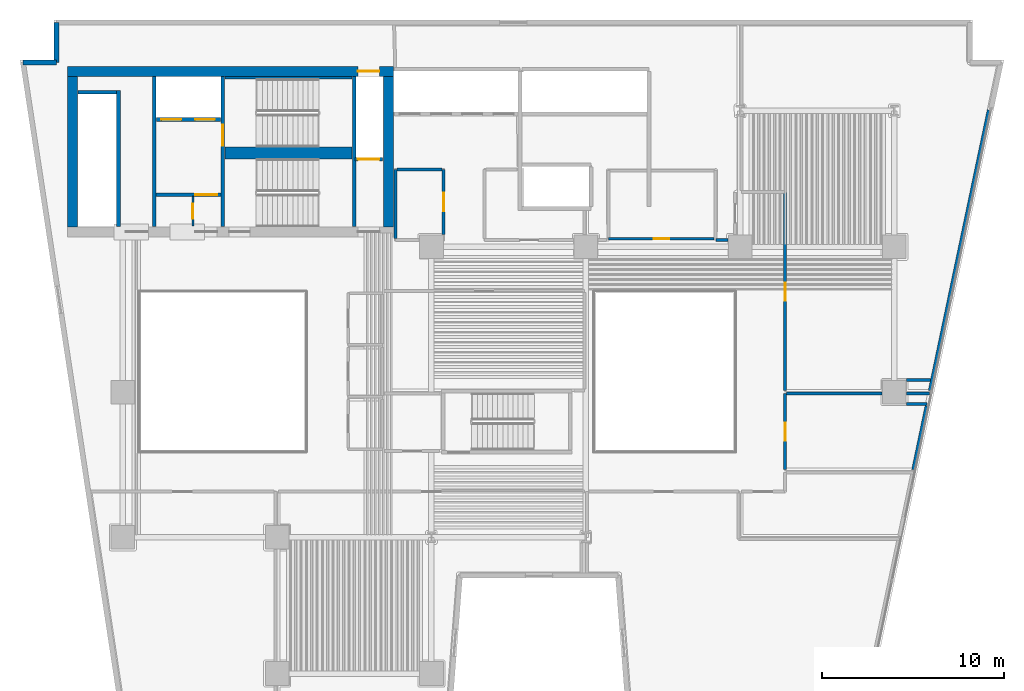
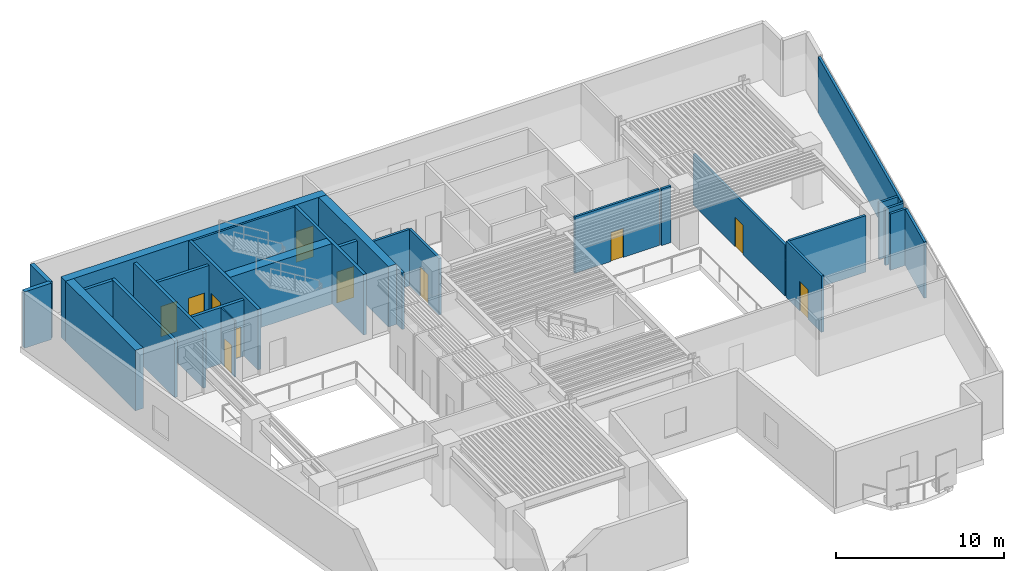
# One storey, part 5 of 12: 29 walls, 11 doors, 11 openings.
"""IFC4 building model written with IfcOpenShell, lengths in metres."""

import ifcopenshell
import ifcopenshell.guid

model = None  # the IFC model being written
_history = None  # IfcOwnerHistory: only IFC2X3 demands one
_inside = {}  # id of a spatial element -> (the spatial element, [elements in it])
_under = {}  # id of a project, library or spatial element -> (it, [spatial elements below it])
_declared = {}  # id of a project -> (the project, [libraries it declares])
_typed = {}  # id of a type object -> (the type object, [elements of that type])
_made_of = {}  # id of a material, layer set ... -> (it, [elements and type objects made of it])


def new_model(schema):
    """Start an empty IFC model of exactly this schema.

    Asked for "IFC4X3", IfcOpenShell would pick the latest addendum, in which some entities
    have other attributes; the version numbers below select the first issue.
    IFC2X3 requires an IfcOwnerHistory on every rooted entity: one is made here for all.
    """
    global model, _history
    if schema == "IFC4X3":
        model = ifcopenshell.file(schema_version=(4, 3, 0, 0))
    else:
        model = ifcopenshell.file(schema=schema)
    _inside.clear()
    _under.clear()
    _declared.clear()
    _typed.clear()
    _made_of.clear()
    _history = None
    if model.schema == "IFC2X3":
        org = make("IfcOrganization", Name="unknown")
        user = make(
            "IfcPersonAndOrganization",
            ThePerson=make("IfcPerson", FamilyName="unknown"),
            TheOrganization=org,
        )
        app = make(
            "IfcApplication",
            ApplicationDeveloper=org,
            Version="unknown",
            ApplicationFullName="unknown",
            ApplicationIdentifier="unknown",
        )
        _history = make(
            "IfcOwnerHistory",
            OwningUser=user,
            OwningApplication=app,
            ChangeAction="ADDED",
            CreationDate=0,
        )
    return model


def make(cls, **values):
    """One entity of the class cls with the attributes given. An attribute that is None is left unset."""
    return model.create_entity(
        cls, **{name: value for name, value in values.items() if value is not None}
    )


def rooted(cls, **values):
    """An entity with a GlobalId (a new one), such as an element, a storey or a relation."""
    return make(cls, GlobalId=ifcopenshell.guid.new(), OwnerHistory=_history, **values)


def si_unit(unit_type, name, prefix=None):
    """IfcSIUnit, for example si_unit("LENGTHUNIT", "METRE", prefix="MILLI")."""
    return make("IfcSIUnit", UnitType=unit_type, Prefix=prefix, Name=name)


def assignment(units):
    """IfcUnitAssignment: the units of a project."""
    return None if units is None else make("IfcUnitAssignment", Units=units)


def point(xyz):
    """IfcCartesianPoint."""
    return None if xyz is None else make("IfcCartesianPoint", Coordinates=xyz)


def direction(xyz):
    """IfcDirection."""
    return None if xyz is None else make("IfcDirection", DirectionRatios=xyz)


def frame(location, z_axis=None, x_axis=None):
    """IfcAxis2Placement3D, a coordinate frame: its origin and axes. An axis left out is left unset."""
    return make(
        "IfcAxis2Placement3D",
        Location=point(location),
        Axis=direction(z_axis),
        RefDirection=direction(x_axis),
    )


def frame_2d(location, x_axis=None):
    """IfcAxis2Placement2D, a coordinate frame in the plane: its origin and x axis."""
    return make(
        "IfcAxis2Placement2D", Location=point(location), RefDirection=direction(x_axis)
    )


def origin():
    """The frame at (0, 0, 0) with its axes left unset."""
    return frame((0.0, 0.0, 0.0))


def place(relative_to, where):
    """IfcLocalPlacement: puts the frame where relative to a parent placement (None: the world)."""
    return make(
        "IfcLocalPlacement", PlacementRelTo=relative_to, RelativePlacement=where
    )


def context(
    kind, dimensions, precision=None, world=None, true_north=None, identifier=None
):
    """IfcGeometricRepresentationContext, for example the 3D "Model" context."""
    return make(
        "IfcGeometricRepresentationContext",
        ContextIdentifier=identifier,
        ContextType=kind,
        CoordinateSpaceDimension=dimensions,
        Precision=precision,
        WorldCoordinateSystem=world,
        TrueNorth=true_north,
    )


def subcontext(parent, identifier, kind, view, scale=None):
    """IfcGeometricRepresentationSubContext, for example "Body" below "Model"."""
    return make(
        "IfcGeometricRepresentationSubContext",
        ContextIdentifier=identifier,
        ContextType=kind,
        ParentContext=parent,
        TargetScale=scale,
        TargetView=view,
    )


def project(units=None, contexts=None):
    """IfcProject with its units and contexts."""
    return rooted(
        "IfcProject",
        Name="project",
        RepresentationContexts=contexts,
        UnitsInContext=assignment(units),
    )


def spatial(cls, under=None, at=None, **own):
    """A site, building, storey or space (cls), placed at a placement, below another one or the project."""
    s = rooted(cls, ObjectPlacement=at, **own)
    if under is not None:
        _under.setdefault(under.id(), (under, []))[1].append(s)
    return s


def profile(cls, at=None, kind="AREA", **sizes):
    """A parametric profile (cls). Its sizes go by their IFC names, for example OverallWidth=200.0."""
    return make(cls, ProfileType=kind, Position=at, **sizes)


def rectangle(**sizes):
    """IfcRectangleProfileDef."""
    return profile("IfcRectangleProfileDef", **sizes)


def extrude(swept, where, along, depth):
    """IfcExtrudedAreaSolid: the profile swept, set in the frame where, extruded along a direction by depth."""
    return make(
        "IfcExtrudedAreaSolid",
        SweptArea=swept,
        Position=where,
        ExtrudedDirection=direction(along),
        Depth=depth,
    )


def shape(context_of_items, identifier, shape_type, items):
    """IfcShapeRepresentation: the items that make up one representation, for example the "Body"."""
    return make(
        "IfcShapeRepresentation",
        ContextOfItems=context_of_items,
        RepresentationIdentifier=identifier,
        RepresentationType=shape_type,
        Items=items,
    )


def material(Name=None, Category=None):
    """IfcMaterial."""
    return make("IfcMaterial", Name=Name, Category=Category)


def layer(
    of_material, thickness, ventilated=None, Name=None, Category=None, Priority=None
):
    """IfcMaterialLayer: one layer of a wall or slab, of a material (None: an air gap)."""
    return make(
        "IfcMaterialLayer",
        Material=of_material,
        LayerThickness=thickness,
        IsVentilated=ventilated,
        Name=Name,
        Category=Category,
        Priority=Priority,
    )


def layer_set(layers, Name=None):
    """IfcMaterialLayerSet."""
    return make("IfcMaterialLayerSet", MaterialLayers=layers, LayerSetName=Name)


def made_of(thing, what):
    """Note that an element or type object is made of a material, layer set ...; save() writes the relation."""
    if what is not None:
        _made_of.setdefault(what.id(), (what, []))[1].append(thing)
    return thing


def type_object(cls, material=None, **own):
    """A type object (cls), such as IfcWallType, which elements share."""
    return made_of(rooted(cls, **own), material)


def element(
    cls,
    number,
    at=None,
    inside=None,
    cuts=None,
    type_object=None,
    material=None,
    context=None,
    identifier="Body",
    shape_type=None,
    held_by="IfcProductDefinitionShape",
    body=None,
    shapes=None,
    **own,
):
    """One element of the class cls, such as IfcWall. Its Tag is "e" and its number.

    at: its placement. inside: the storey or other place that contains it. cuts: it is an
    opening in that element (IfcRelVoidsElement). A single representation is given by context,
    identifier, shape_type and body (its items); several are given by shapes. held_by: the class
    of the entity that holds the representations. save() writes the other relations.
    """
    e = rooted(cls, Tag="e%d" % number, ObjectPlacement=at, **own)
    if body is not None:
        shapes = [shape(context, identifier, shape_type, body)]
    if shapes is not None:
        e.Representation = make(held_by, Representations=shapes)
    if inside is not None:
        _inside.setdefault(inside.id(), (inside, []))[1].append(e)
    if cuts is not None:
        rooted(
            "IfcRelVoidsElement", RelatingBuildingElement=cuts, RelatedOpeningElement=e
        )
    if type_object is not None:
        _typed.setdefault(type_object.id(), (type_object, []))[1].append(e)
    return made_of(e, material)


def fill(opening, filler):
    """IfcRelFillsElement: the door or window that sits in an opening."""
    return rooted(
        "IfcRelFillsElement",
        RelatingOpeningElement=opening,
        RelatedBuildingElement=filler,
    )


def aggregate(whole, parts):
    """IfcRelAggregates: a whole, such as a stair, and the parts it consists of."""
    return rooted("IfcRelAggregates", RelatingObject=whole, RelatedObjects=parts)


def save(model, path):
    """Write the relations noted so far, then the file.

    IfcRelAggregates (storeys below a building ...), IfcRelContainedInSpatialStructure (elements
    in a storey), IfcRelDefinesByType, IfcRelAssociatesMaterial and IfcRelDeclares: one each for
    every whole, place, type object, material and project.
    """
    for whole, parts in _under.values():
        aggregate(whole, parts)
    for where, things in _inside.values():
        rooted(
            "IfcRelContainedInSpatialStructure",
            RelatedElements=things,
            RelatingStructure=where,
        )
    for kind, things in _typed.values():
        rooted("IfcRelDefinesByType", RelatedObjects=things, RelatingType=kind)
    for what, things in _made_of.values():
        rooted("IfcRelAssociatesMaterial", RelatedObjects=things, RelatingMaterial=what)
    for by, libraries in _declared.values():
        rooted("IfcRelDeclares", RelatingContext=by, RelatedDefinitions=libraries)
    model.write(path)


model = new_model("IFC4")

# Units and contexts
model_context = context("Model", 3, precision=1e-05, world=origin(), true_north=direction((0.0, 1.0)))
body_context = subcontext(model_context, "Body", "Model", "MODEL_VIEW")
ifc_project = project(units=[si_unit("LENGTHUNIT", "METRE"), si_unit("AREAUNIT", "SQUARE_METRE"), si_unit("VOLUMEUNIT", "CUBIC_METRE"), si_unit("PLANEANGLEUNIT", "RADIAN"), si_unit("MASSUNIT", "GRAM", prefix="KILO")], contexts=[model_context])

# Site, building, storey
site_placement = place(None, origin())
site = spatial("IfcSite", under=ifc_project, at=site_placement, CompositionType="ELEMENT")
building_placement = place(site_placement, origin())
building = spatial("IfcBuilding", under=site, at=building_placement, Name="Caeloran Harvest Quay", CompositionType="ELEMENT")
storey_placement = place(building_placement, frame((0.0, 0.0, 27.0)))
storey = spatial("IfcBuildingStorey", under=building, at=storey_placement, Name="L06", CompositionType="ELEMENT", Elevation=27.0)

# Walls
ifc_material_1 = material(Name="Precast concrete C50/60", Category="concrete")
ifc_layer_1 = layer(ifc_material_1, 0.280029296875, Name="Precast concrete C50/60")
ifc_layer_set_1 = layer_set([ifc_layer_1], Name="Precast concrete C50/60")
wall_type_1 = type_object("IfcWallType", Name="ENV-WALL-EW-280", PredefinedType="STANDARD", material=ifc_layer_set_1)
wall_1_placement = place(storey_placement, frame((2.99755859375, 41.159912109375, 0.0), z_axis=(0.0, 0.0, 1.0), x_axis=(1.0, 0.0, 0.0)))
element("IfcWall", 1, at=wall_1_placement, inside=storey, type_object=wall_type_1, Name="L06 Exterior Precast Concrete Facade Wall 4", PredefinedType="STANDARD", context=body_context, shape_type="SweptSolid", body=[
    extrude(rectangle(XDim=1.842529296875, YDim=0.280029296875, at=frame_2d((0.92138671875, 0.0))), origin(), (0.0, 0.0, 1.0), 4.10009765625),
])
wall_2_placement = place(storey_placement, frame((4.840087890625, 41.159912109375, 0.0), z_axis=(0.0, 0.0, 1.0), x_axis=(0.0, 1.0, 0.0)))
element("IfcWall", 2, at=wall_2_placement, inside=storey, type_object=wall_type_1, Name="L06 Exterior Precast Concrete Facade Wall 5", PredefinedType="STANDARD", context=body_context, shape_type="SweptSolid", body=[
    extrude(rectangle(XDim=2.2001953125, YDim=0.280029296875, at=frame_2d((1.10009765625, 0.0))), origin(), (0.0, 0.0, 1.0), 4.10009765625),
])

# Wall, opening, door
ifc_material_2 = material(Name="Fire-Resisting Gypsum Core Riser Partition", Category="gypsum")
ifc_layer_2 = layer(ifc_material_2, 0.10009765625, Name="Fire-Resisting Gypsum Core Riser Partition")
ifc_layer_set_2 = layer_set([ifc_layer_2], Name="Fire-Resisting Gypsum Core Riser Partition")
wall_type_2 = type_object("IfcWallType", Name="INT-WALL-PW-100", PredefinedType="PARTITIONING", material=ifc_layer_set_2)
wall_3_placement = place(storey_placement, frame((12.360107421875, 32.159912109375, 0.0), z_axis=(0.0, 0.0, 1.0), x_axis=(0.0, 1.0, 0.0)))
wall_3 = element("IfcWall", 3, at=wall_3_placement, inside=storey, type_object=wall_type_2, Name="L06 Core Store Partition Wall", PredefinedType="PARTITIONING", context=body_context, shape_type="SweptSolid", body=[
    extrude(rectangle(XDim=1.6201171875, YDim=0.10009765625, at=frame_2d((0.81005859375, 0.0))), origin(), (0.0, 0.0, 1.0), 4.10009765625),
])
opening_1_placement = place(wall_3_placement, frame((0.3798828125, 0.0, 0.0)))
opening_1 = element("IfcOpeningElement", 4, at=opening_1_placement, cuts=wall_3, Name="Opening SV-01", PredefinedType="OPENING", context=body_context, shape_type="SweptSolid", body=[
    extrude(rectangle(XDim=0.85009765625, YDim=2.10009765625, at=frame_2d((0.425048828125, 1.050048828125))), frame((0.0, 0.06005859375, 0.0), z_axis=(0.0, -1.0, 0.0), x_axis=(1.0, 0.0, 0.0)), (0.0, 0.0, 1.0), 0.1201171875),
])
ifc_material_3 = material(Name="Galvanized Painted Steel", Category="steel")
door_type_1 = type_object("IfcDoorType", Name="INTDOOR-SV-01", OperationType="NOTDEFINED", PredefinedType="DOOR", material=ifc_material_3)
door_1_placement = place(opening_1_placement, origin())
door_1 = element("IfcDoor", 5, at=door_1_placement, inside=storey, type_object=door_type_1, Name="L06 Core Service Room Access Door", OperationType="SINGLE_SWING_RIGHT", OverallHeight=2.10009765625, OverallWidth=0.85009765625, PredefinedType="DOOR", context=body_context, shape_type="SweptSolid", body=[
    extrude(rectangle(XDim=0.85009765625, YDim=2.10009765625, at=frame_2d((0.425048828125, 1.050048828125))), frame((0.0, 0.02490234375, 0.0), z_axis=(0.0, -1.0, 0.0), x_axis=(1.0, 0.0, 0.0)), (0.0, 0.0, 1.0), 0.050048828125),
])
fill(opening_1, door_1)

ifc_material_4 = material(Name="Autoclaved Aerated Concrete Blockwork and Plasterboard", Category="masonry")
ifc_layer_3 = layer(ifc_material_4, 0.14990234375, Name="Autoclaved Aerated Concrete Blockwork and Plasterboard")
ifc_layer_set_3 = layer_set([ifc_layer_3], Name="Autoclaved Aerated Concrete Blockwork and Plasterboard")
wall_type_3 = type_object("IfcWallType", Name="INT-WALL-PW-150", PredefinedType="PARTITIONING", material=ifc_layer_set_3)
wall_4_placement = place(storey_placement, frame((41.070068359375, 31.449951171875, 0.0), z_axis=(0.0, 0.0, 1.0), x_axis=(-1.0, 0.0, 0.0)))
wall_4 = element("IfcWall", 6, at=wall_4_placement, inside=storey, type_object=wall_type_3, Name="L06 Core Telemetry Control Room Partition Wall", PredefinedType="PARTITIONING", context=body_context, shape_type="SweptSolid", body=[
    extrude(rectangle(XDim=5.820068359375, YDim=0.14990234375, at=frame_2d((2.91015625, 0.0))), origin(), (0.0, 0.0, 1.0), 4.10009765625),
])
opening_2_placement = place(wall_4_placement, frame((2.485107421875, 0.0, 0.0)))
opening_2 = element("IfcOpeningElement", 7, at=opening_2_placement, cuts=wall_4, Name="Opening SV-01", PredefinedType="OPENING", context=body_context, shape_type="SweptSolid", body=[
    extrude(rectangle(XDim=0.85009765625, YDim=2.10009765625, at=frame_2d((0.425048828125, 1.050048828125))), frame((0.0, 0.0849609375, 0.0), z_axis=(0.0, -1.0, 0.0), x_axis=(1.0, 0.0, 0.0)), (0.0, 0.0, 1.0), 0.169921875),
])
door_2_placement = place(opening_2_placement, origin())
door_2 = element("IfcDoor", 8, at=door_2_placement, inside=storey, type_object=door_type_1, Name="L06 Core Telemetry Control Room Access Door", OperationType="SINGLE_SWING_LEFT", OverallHeight=2.10009765625, OverallWidth=0.85009765625, PredefinedType="DOOR", context=body_context, shape_type="SweptSolid", body=[
    extrude(rectangle(XDim=0.85009765625, YDim=2.10009765625, at=frame_2d((0.425048828125, 1.050048828125))), frame((0.0, 0.02490234375, 0.0), z_axis=(0.0, -1.0, 0.0), x_axis=(1.0, 0.0, 0.0)), (0.0, 0.0, 1.0), 0.050048828125),
])
fill(opening_2, door_2)

ifc_material_5 = material(Name="Autoclaved Aerated Concrete Blockwork", Category="masonry")
ifc_layer_4 = layer(ifc_material_5, 0.1650390625, Name="Autoclaved Aerated Concrete Blockwork")
ifc_layer_set_4 = layer_set([ifc_layer_4], Name="Autoclaved Aerated Concrete Blockwork")
wall_type_4 = type_object("IfcWallType", Name="INT-WALL-PW-165", PredefinedType="PARTITIONING", material=ifc_layer_set_4)
wall_5_placement = place(storey_placement, frame((44.97998046875, 18.72998046875, 0.0), z_axis=(0.0, 0.0, 1.0), x_axis=(0.0, 1.0, 0.0)))
wall_5 = element("IfcWall", 9, at=wall_5_placement, inside=storey, type_object=wall_type_4, Name="Harvest Cold Buffer Laboratory Partition Wall", PredefinedType="PARTITIONING", context=body_context, shape_type="SweptSolid", body=[
    extrude(rectangle(XDim=4.18994140625, YDim=0.1650390625, at=frame_2d((2.094970703125, 0.0))), origin(), (0.0, 0.0, 1.0), 4.10009765625),
])
opening_3_placement = place(wall_5_placement, frame((1.594970703125, 0.0, 0.0)))
opening_3 = element("IfcOpeningElement", 10, at=opening_3_placement, cuts=wall_5, Name="Opening ID-01", PredefinedType="OPENING", context=body_context, shape_type="SweptSolid", body=[
    extrude(rectangle(XDim=1.0, YDim=2.14990234375, at=frame_2d((0.5, 1.074951171875))), frame((0.0, 0.092529296875, 0.0), z_axis=(0.0, -1.0, 0.0), x_axis=(1.0, 0.0, 0.0)), (0.0, 0.0, 1.0), 0.18505859375),
])
ifc_material_6 = material(Name="FSC Solid-Core Ash Timber and Acoustic Seal", Category="wood")
door_type_2 = type_object("IfcDoorType", Name="INTDOOR-ID-01", OperationType="NOTDEFINED", PredefinedType="DOOR", material=ifc_material_6)
door_3_placement = place(opening_3_placement, origin())
door_3 = element("IfcDoor", 11, at=door_3_placement, inside=storey, type_object=door_type_2, Name="Harvest Cold Buffer Laboratory Access Door", OperationType="SINGLE_SWING_LEFT", OverallHeight=2.14990234375, OverallWidth=1.0, PredefinedType="DOOR", context=body_context, shape_type="SweptSolid", body=[
    extrude(rectangle(XDim=1.0, YDim=2.14990234375, at=frame_2d((0.5, 1.074951171875))), frame((0.0, 0.02490234375, 0.0), z_axis=(0.0, -1.0, 0.0), x_axis=(1.0, 0.0, 0.0)), (0.0, 0.0, 1.0), 0.050048828125),
])
fill(opening_3, door_3)

# Walls
wall_6_placement = place(storey_placement, frame((45.0673828125, 22.919921875, 0.0), z_axis=(0.0, 0.0, 1.0), x_axis=(1.0, 0.0, 0.0)))
element("IfcWall", 12, at=wall_6_placement, inside=storey, type_object=wall_type_4, Name="Harvest Cold Buffer Laboratory Partition Wall", PredefinedType="PARTITIONING", context=body_context, shape_type="SweptSolid", body=[
    extrude(rectangle(XDim=5.257568359375, YDim=0.1650390625, at=frame_2d((2.62890625, 0.0))), origin(), (0.0, 0.0, 1.0), 4.10009765625),
])
wall_7_placement = place(storey_placement, frame((51.675048828125, 22.3349609375, 0.0), z_axis=(0.0, 0.0, 1.0), x_axis=(1.0, 0.0, 0.0)))
element("IfcWall", 13, at=wall_7_placement, inside=storey, type_object=wall_type_4, Name="Harvest Cold Buffer Laboratory Partition Wall", PredefinedType="PARTITIONING", context=body_context, shape_type="SweptSolid", body=[
    extrude(rectangle(XDim=1.12841796875, YDim=0.1650390625, at=frame_2d((0.564208984375, 0.0))), origin(), (0.0, 0.0, 1.0), 4.10009765625),
])
wall_8_placement = place(storey_placement, frame((51.675048828125, 22.919921875, 0.0), z_axis=(0.0, 0.0, 1.0), x_axis=(1.0, 0.0, 0.0)))
element("IfcWall", 14, at=wall_8_placement, inside=storey, type_object=wall_type_4, Name="Harvest Cold Buffer Laboratory Partition Wall", PredefinedType="PARTITIONING", context=body_context, shape_type="SweptSolid", body=[
    extrude(rectangle(XDim=1.25146484375, YDim=0.1650390625, at=frame_2d((0.625732421875, 0.0))), origin(), (0.0, 0.0, 1.0), 4.10009765625),
])
wall_9_placement = place(storey_placement, frame((52.769775390625, 22.24755859375, 0.0), z_axis=(0.0, 0.0, 1.0), x_axis=(-0.205538051866, -0.978649124679, 0.0)))
element("IfcWall", 15, at=wall_9_placement, inside=storey, type_object=wall_type_4, Name="Harvest Cold Buffer Laboratory Partition Wall", PredefinedType="PARTITIONING", context=body_context, shape_type="SweptSolid", body=[
    extrude(rectangle(XDim=3.59423828125, YDim=0.1650390625, at=frame_2d((1.797119140625, 0.0))), origin(), (0.0, 0.0, 1.0), 4.10009765625),
])

# Wall, opening, door
wall_10_placement = place(storey_placement, frame((26.169921875, 35.27001953125, 0.0), z_axis=(0.0, 0.0, 1.0), x_axis=(0.0, -1.0, 0.0)))
wall_10 = element("IfcWall", 16, at=wall_10_placement, inside=storey, type_object=wall_type_4, Name="Leafy-Greens Hydroponic Growing Hall 9 Partition Wall", PredefinedType="PARTITIONING", context=body_context, shape_type="SweptSolid", body=[
    extrude(rectangle(XDim=3.594970703125, YDim=0.1650390625, at=frame_2d((1.79736328125, 0.0))), origin(), (0.0, 0.0, 1.0), 4.10009765625),
])
opening_4_placement = place(wall_10_placement, frame((1.297607421875, 0.0, 0.0)))
opening_4 = element("IfcOpeningElement", 17, at=opening_4_placement, cuts=wall_10, Name="Opening ID-01", PredefinedType="OPENING", context=body_context, shape_type="SweptSolid", body=[
    extrude(rectangle(XDim=1.0, YDim=2.14990234375, at=frame_2d((0.5, 1.074951171875))), frame((0.0, 0.092529296875, 0.0), z_axis=(0.0, -1.0, 0.0), x_axis=(1.0, 0.0, 0.0)), (0.0, 0.0, 1.0), 0.18505859375),
])
door_4_placement = place(opening_4_placement, origin())
door_4 = element("IfcDoor", 18, at=door_4_placement, inside=storey, type_object=door_type_2, Name="Leafy-Greens Hydroponic Growing Hall 9 Access Door", OperationType="SINGLE_SWING_RIGHT", OverallHeight=2.14990234375, OverallWidth=1.0, PredefinedType="DOOR", context=body_context, shape_type="SweptSolid", body=[
    extrude(rectangle(XDim=1.0, YDim=2.14990234375, at=frame_2d((0.5, 1.074951171875))), frame((0.0, 0.02490234375, 0.0), z_axis=(0.0, -1.0, 0.0), x_axis=(1.0, 0.0, 0.0)), (0.0, 0.0, 1.0), 0.050048828125),
])
fill(opening_4, door_4)

# Walls
wall_11_placement = place(storey_placement, frame((23.510009765625, 31.467529296875, 0.0), z_axis=(0.0, 0.0, 1.0), x_axis=(0.0, 1.0, 0.0)))
element("IfcWall", 19, at=wall_11_placement, inside=storey, type_object=wall_type_4, Name="Leafy-Greens Hydroponic Growing Hall 9 Partition Wall", PredefinedType="PARTITIONING", context=body_context, shape_type="SweptSolid", body=[
    extrude(rectangle(XDim=3.804443359375, YDim=0.1650390625, at=frame_2d((1.90234375, 0.0))), origin(), (0.0, 0.0, 1.0), 4.10009765625),
])
wall_12_placement = place(storey_placement, frame((23.597412109375, 35.27001953125, 0.0), z_axis=(0.0, 0.0, 1.0), x_axis=(1.0, 0.0, 0.0)))
element("IfcWall", 20, at=wall_12_placement, inside=storey, type_object=wall_type_4, Name="Leafy-Greens Hydroponic Growing Hall 9 Partition Wall", PredefinedType="PARTITIONING", context=body_context, shape_type="SweptSolid", body=[
    extrude(rectangle(XDim=2.485107421875, YDim=0.1650390625, at=frame_2d((1.24267578125, 0.0))), origin(), (0.0, 0.0, 1.0), 4.10009765625),
])
wall_13_placement = place(storey_placement, frame((56.1943359375, 38.547607421875, 0.0), z_axis=(0.0, 0.0, 1.0), x_axis=(-0.205583069276, -0.978639668942, 0.0)))
element("IfcWall", 21, at=wall_13_placement, inside=storey, type_object=wall_type_4, Name="Aeroponic Root-Mist Growing Chamber 10 Partition Wall", PredefinedType="PARTITIONING", context=body_context, shape_type="SweptSolid", body=[
    extrude(rectangle(XDim=15.80517578125, YDim=0.1650390625, at=frame_2d((7.902587890625, 0.0))), origin(), (0.0, 0.0, 1.0), 4.10009765625),
])
wall_14_placement = place(storey_placement, frame((52.978515625, 23.6650390625, 0.0), z_axis=(0.0, 0.0, 1.0), x_axis=(-1.0, 0.0, 0.0)))
element("IfcWall", 22, at=wall_14_placement, inside=storey, type_object=wall_type_4, Name="Aeroponic Root-Mist Growing Chamber 10 Partition Wall", PredefinedType="PARTITIONING", context=body_context, shape_type="SweptSolid", body=[
    extrude(rectangle(XDim=1.303466796875, YDim=0.1650390625, at=frame_2d((0.65185546875, 0.0))), origin(), (0.0, 0.0, 1.0), 4.10009765625),
])

# Wall, opening, door
wall_15_placement = place(storey_placement, frame((44.97998046875, 23.080078125, 0.0), z_axis=(0.0, 0.0, 1.0), x_axis=(0.0, 1.0, 0.0)))
wall_15 = element("IfcWall", 23, at=wall_15_placement, inside=storey, type_object=wall_type_4, Name="Aeroponic Root-Mist Growing Chamber 10 Partition Wall", PredefinedType="PARTITIONING", context=body_context, shape_type="SweptSolid", body=[
    extrude(rectangle(XDim=10.919921875, YDim=0.1650390625, at=frame_2d((5.4599609375, 0.0))), origin(), (0.0, 0.0, 1.0), 3.72509765625),
])
opening_5_placement = place(wall_15_placement, frame((4.9599609375, 0.0, 0.0)))
opening_5 = element("IfcOpeningElement", 24, at=opening_5_placement, cuts=wall_15, Name="Opening ID-01", PredefinedType="OPENING", context=body_context, shape_type="SweptSolid", body=[
    extrude(rectangle(XDim=1.0, YDim=2.14990234375, at=frame_2d((0.5, 1.074951171875))), frame((0.0, 0.092529296875, 0.0), z_axis=(0.0, -1.0, 0.0), x_axis=(1.0, 0.0, 0.0)), (0.0, 0.0, 1.0), 0.18505859375),
])
door_5_placement = place(opening_5_placement, origin())
door_5 = element("IfcDoor", 25, at=door_5_placement, inside=storey, type_object=door_type_2, Name="Aeroponic Root-Mist Growing Chamber 10 Access Door", OperationType="SINGLE_SWING_LEFT", OverallHeight=2.14990234375, OverallWidth=1.0, PredefinedType="DOOR", context=body_context, shape_type="SweptSolid", body=[
    extrude(rectangle(XDim=1.0, YDim=2.14990234375, at=frame_2d((0.5, 1.074951171875))), frame((0.0, 0.02490234375, 0.0), z_axis=(0.0, -1.0, 0.0), x_axis=(1.0, 0.0, 0.0)), (0.0, 0.0, 1.0), 0.050048828125),
])
fill(opening_5, door_5)

# Walls
wall_16_placement = place(storey_placement, frame((41.824951171875, 31.3798828125, 0.0), z_axis=(0.0, 0.0, 1.0), x_axis=(-1.0, 0.0, 0.0)))
element("IfcWall", 26, at=wall_16_placement, inside=storey, type_object=wall_type_4, Name="Seedling Nursery Room 11 Partition Wall", PredefinedType="PARTITIONING", context=body_context, shape_type="SweptSolid", body=[
    extrude(rectangle(XDim=0.660400390625, YDim=0.1650390625, at=frame_2d((0.330078125, 0.0))), origin(), (0.0, 0.0, 1.0), 4.10009765625),
])
ifc_material_7 = material(Name="Concrete C50/60", Category="concrete")
ifc_layer_5 = layer(ifc_material_7, 0.199951171875, Name="Concrete C50/60")
ifc_layer_set_5 = layer_set([ifc_layer_5], Name="Concrete C50/60")
wall_type_5 = type_object("IfcWallType", Name="INT-WALL-SW-200", PredefinedType="PARTITIONING", material=ifc_layer_set_5)
wall_17_placement = place(storey_placement, frame((8.260009765625, 32.1201171875, 0.0), z_axis=(0.0, 0.0, 1.0), x_axis=(0.0, 1.0, 0.0)))
element("IfcWall", 27, at=wall_17_placement, inside=storey, type_object=wall_type_5, Name="L06 Bank 3 Lift Shaft Wall", PredefinedType="PARTITIONING", context=body_context, shape_type="SweptSolid", body=[
    extrude(rectangle(XDim=7.5, YDim=0.199951171875, at=frame_2d((3.75, 0.0))), origin(), (0.0, 0.0, 1.0), 4.10009765625),
])
wall_18_placement = place(storey_placement, frame((6.02001953125, 39.52001953125, 0.0), z_axis=(0.0, 0.0, 1.0), x_axis=(1.0, 0.0, 0.0)))
element("IfcWall", 28, at=wall_18_placement, inside=storey, type_object=wall_type_5, Name="L06 Bank 3 Lift Shaft North End Wall", PredefinedType="PARTITIONING", context=body_context, shape_type="SweptSolid", body=[
    extrude(rectangle(XDim=2.119873046875, YDim=0.199951171875, at=frame_2d((1.06005859375, 0.0))), origin(), (0.0, 0.0, 1.0), 4.10009765625),
])
wall_19_placement = place(storey_placement, frame((10.219970703125, 32.1201171875, 0.0), z_axis=(0.0, 0.0, 1.0), x_axis=(0.0, 1.0, 0.0)))
element("IfcWall", 29, at=wall_19_placement, inside=storey, type_object=wall_type_5, Name="L06 Core Lobby Compartment Wall", PredefinedType="PARTITIONING", context=body_context, shape_type="SweptSolid", body=[
    extrude(rectangle(XDim=8.259765625, YDim=0.199951171875, at=frame_2d((4.1298828125, 0.0))), origin(), (0.0, 0.0, 1.0), 4.10009765625),
])

# Wall, openings, doors
wall_20_placement = place(storey_placement, frame((10.340087890625, 38.02001953125, 0.0), z_axis=(0.0, 0.0, 1.0), x_axis=(1.0, 0.0, 0.0)))
wall_20 = element("IfcWall", 30, at=wall_20_placement, inside=storey, type_object=wall_type_5, Name="L06 Firefighting Lift Shaft Wall", PredefinedType="PARTITIONING", context=body_context, shape_type="SweptSolid", body=[
    extrude(rectangle(XDim=3.539794921875, YDim=0.199951171875, at=frame_2d((1.77001953125, 0.0))), origin(), (0.0, 0.0, 1.0), 4.10009765625),
])
opening_6_placement = place(wall_20_placement, frame((0.284912109375, 0.0, 0.0)))
opening_6 = element("IfcOpeningElement", 31, at=opening_6_placement, cuts=wall_20, Name="Opening LD-01", PredefinedType="OPENING", context=body_context, shape_type="SweptSolid", body=[
    extrude(rectangle(XDim=1.10009765625, YDim=2.199951171875, at=frame_2d((0.550048828125, 1.10009765625))), frame((0.0, 0.10986328125, 0.0), z_axis=(0.0, -1.0, 0.0), x_axis=(1.0, 0.0, 0.0)), (0.0, 0.0, 1.0), 0.219970703125),
])
opening_7_placement = place(wall_20_placement, frame((2.135009765625, 0.0, 0.0)))
opening_7 = element("IfcOpeningElement", 32, at=opening_7_placement, cuts=wall_20, Name="Opening LD-01", PredefinedType="OPENING", context=body_context, shape_type="SweptSolid", body=[
    extrude(rectangle(XDim=1.10009765625, YDim=2.199951171875, at=frame_2d((0.550048828125, 1.10009765625))), frame((0.0, 0.10986328125, 0.0), z_axis=(0.0, -1.0, 0.0), x_axis=(1.0, 0.0, 0.0)), (0.0, 0.0, 1.0), 0.219970703125),
])
ifc_material_8 = material(Name="Stainless Steel Grade 316", Category="steel")
door_type_3 = type_object("IfcDoorType", Name="INTDOOR-LD-01", OperationType="NOTDEFINED", PredefinedType="DOOR", material=ifc_material_8)
door_6_placement = place(opening_6_placement, origin())
door_6 = element("IfcDoor", 33, at=door_6_placement, inside=storey, type_object=door_type_3, Name="Lift FF-1 Sliding Landing Door (L06)", OperationType="DOUBLE_DOOR_SLIDING", OverallHeight=2.199951171875, OverallWidth=1.10009765625, PredefinedType="DOOR", context=body_context, shape_type="SweptSolid", body=[
    extrude(rectangle(XDim=1.10009765625, YDim=2.199951171875, at=frame_2d((0.550048828125, 1.10009765625))), frame((0.0, 0.02490234375, 0.0), z_axis=(0.0, -1.0, 0.0), x_axis=(1.0, 0.0, 0.0)), (0.0, 0.0, 1.0), 0.050048828125),
])
fill(opening_6, door_6)
door_7_placement = place(opening_7_placement, origin())
door_7 = element("IfcDoor", 34, at=door_7_placement, inside=storey, type_object=door_type_3, Name="Lift FF-2 Sliding Landing Door (L06)", OperationType="DOUBLE_DOOR_SLIDING", OverallHeight=2.199951171875, OverallWidth=1.10009765625, PredefinedType="DOOR", context=body_context, shape_type="SweptSolid", body=[
    extrude(rectangle(XDim=1.10009765625, YDim=2.199951171875, at=frame_2d((0.550048828125, 1.10009765625))), frame((0.0, 0.02490234375, 0.0), z_axis=(0.0, -1.0, 0.0), x_axis=(1.0, 0.0, 0.0)), (0.0, 0.0, 1.0), 0.050048828125),
])
fill(opening_7, door_7)

# Wall, opening, door
wall_21_placement = place(storey_placement, frame((10.340087890625, 33.8798828125, 0.0), z_axis=(0.0, 0.0, 1.0), x_axis=(1.0, 0.0, 0.0)))
wall_21 = element("IfcWall", 35, at=wall_21_placement, inside=storey, type_object=wall_type_5, Name="L06 Firefighting Lift Lobby Enclosure Wall", PredefinedType="PARTITIONING", context=body_context, shape_type="SweptSolid", body=[
    extrude(rectangle(XDim=3.559814453125, YDim=0.199951171875, at=frame_2d((1.77978515625, 0.0))), origin(), (0.0, 0.0, 1.0), 4.10009765625),
])
opening_8_placement = place(wall_21_placement, frame((2.14990234375, 0.0, 0.0)))
opening_8 = element("IfcOpeningElement", 36, at=opening_8_placement, cuts=wall_21, Name="Opening FD-01", PredefinedType="OPENING", context=body_context, shape_type="SweptSolid", body=[
    extrude(rectangle(XDim=1.199951171875, YDim=2.199951171875, at=frame_2d((0.60009765625, 1.10009765625))), frame((0.0, 0.10986328125, 0.0), z_axis=(0.0, -1.0, 0.0), x_axis=(1.0, 0.0, 0.0)), (0.0, 0.0, 1.0), 0.219970703125),
])
ifc_material_9 = material(Name="Steel", Category="steel")
door_type_4 = type_object("IfcDoorType", Name="INTDOOR-FD-01", OperationType="NOTDEFINED", PredefinedType="DOOR", material=ifc_material_9)
door_8_placement = place(opening_8_placement, origin())
door_8 = element("IfcDoor", 37, at=door_8_placement, inside=storey, type_object=door_type_4, Name="L06 Firefighting Lift Lobby Smoke-Seal Fire Door", OperationType="SINGLE_SWING_LEFT", OverallHeight=2.199951171875, OverallWidth=1.199951171875, PredefinedType="DOOR", context=body_context, shape_type="SweptSolid", body=[
    extrude(rectangle(XDim=1.199951171875, YDim=2.199951171875, at=frame_2d((0.60009765625, 1.10009765625))), frame((0.0, 0.02490234375, 0.0), z_axis=(0.0, -1.0, 0.0), x_axis=(1.0, 0.0, 0.0)), (0.0, 0.0, 1.0), 0.050048828125),
])
fill(opening_8, door_8)

wall_22_placement = place(storey_placement, frame((21.300048828125, 35.820068359375, 0.0), z_axis=(0.0, 0.0, 1.0), x_axis=(1.0, 0.0, 0.0)))
wall_22 = element("IfcWall", 38, at=wall_22_placement, inside=storey, type_object=wall_type_5, Name="L06 Service Lift SV-2 Shaft Wall", PredefinedType="PARTITIONING", context=body_context, shape_type="SweptSolid", body=[
    extrude(rectangle(XDim=1.5, YDim=0.199951171875, at=frame_2d((0.75, 0.0))), origin(), (0.0, 0.0, 1.0), 4.10009765625),
])
opening_9_placement = place(wall_22_placement, frame((0.14501953125, 0.0, 0.0)))
opening_9 = element("IfcOpeningElement", 39, at=opening_9_placement, cuts=wall_22, Name="Opening LD-02", PredefinedType="OPENING", context=body_context, shape_type="SweptSolid", body=[
    extrude(rectangle(XDim=1.179931640625, YDim=2.25, at=frame_2d((0.58984375, 1.125))), frame((0.0, 0.10986328125, 0.0), z_axis=(0.0, -1.0, 0.0), x_axis=(1.0, 0.0, 0.0)), (0.0, 0.0, 1.0), 0.219970703125),
])
door_type_5 = type_object("IfcDoorType", Name="INTDOOR-LD-02", OperationType="NOTDEFINED", PredefinedType="DOOR", material=ifc_material_8)
door_9_placement = place(opening_9_placement, origin())
door_9 = element("IfcDoor", 40, at=door_9_placement, inside=storey, type_object=door_type_5, Name="Lift SV-2 Sliding Landing Door (L06)", OperationType="DOUBLE_DOOR_SLIDING", OverallHeight=2.25, OverallWidth=1.179931640625, PredefinedType="DOOR", context=body_context, shape_type="SweptSolid", body=[
    extrude(rectangle(XDim=1.179931640625, YDim=2.25, at=frame_2d((0.58984375, 1.125))), frame((0.0, 0.02490234375, 0.0), z_axis=(0.0, -1.0, 0.0), x_axis=(1.0, 0.0, 0.0)), (0.0, 0.0, 1.0), 0.050048828125),
])
fill(opening_9, door_9)

ifc_material_10 = material(Name="Concrete C80/95", Category="concrete")
ifc_layer_6 = layer(ifc_material_10, 0.550048828125, Name="Concrete C80/95")
ifc_layer_set_6 = layer_set([ifc_layer_6], Name="Concrete C80/95")
wall_type_6 = type_object("IfcWallType", Name="STR-WALL-CW-550", PredefinedType="SHEAR", material=ifc_layer_set_6)
wall_23_placement = place(storey_placement, frame((5.449951171875, 40.675048828125, 0.0), z_axis=(0.0, 0.0, 1.0), x_axis=(1.0, 0.0, 0.0)))
wall_23 = element("IfcWall", 41, at=wall_23_placement, inside=storey, type_object=wall_type_6, Name="L06 Rear Core Shear Wall N", PredefinedType="SHEAR", context=body_context, shape_type="SweptSolid", body=[
    extrude(rectangle(XDim=17.949951171875, YDim=0.550048828125, at=frame_2d((8.97509765625, 0.0))), origin(), (0.0, 0.0, 1.0), 4.39990234375),
])
opening_10_placement = place(wall_23_placement, frame((15.9951171875, 0.0, 0.0)))
opening_10 = element("IfcOpeningElement", 42, at=opening_10_placement, cuts=wall_23, Name="Opening LD-02", PredefinedType="OPENING", context=body_context, shape_type="SweptSolid", body=[
    extrude(rectangle(XDim=1.179931640625, YDim=2.25, at=frame_2d((0.58984375, 1.125))), frame((0.0, 0.28515625, 0.0), z_axis=(0.0, -1.0, 0.0), x_axis=(1.0, 0.0, 0.0)), (0.0, 0.0, 1.0), 0.570068359375),
])
door_10_placement = place(opening_10_placement, origin())
door_10 = element("IfcDoor", 43, at=door_10_placement, inside=storey, type_object=door_type_5, Name="Lift SV-1 Sliding Landing Door (L06)", OperationType="DOUBLE_DOOR_SLIDING", OverallHeight=2.25, OverallWidth=1.179931640625, PredefinedType="DOOR", context=body_context, shape_type="SweptSolid", body=[
    extrude(rectangle(XDim=1.179931640625, YDim=2.25, at=frame_2d((0.58984375, 1.125))), frame((0.0, 0.02490234375, 0.0), z_axis=(0.0, -1.0, 0.0), x_axis=(1.0, 0.0, 0.0)), (0.0, 0.0, 1.0), 0.050048828125),
])
fill(opening_10, door_10)

# Walls
for number, where, z_axis, x_axis, name in (
    (44, (5.72509765625, 32.10009765625, 0.0), (0.0, 0.0, 1.0), (0.0, 1.0, 0.0), "L06 Rear Core Shear Wall W"),
    (45, (23.125, 32.10009765625, 0.0), (0.0, 0.0, 1.0), (0.0, 1.0, 0.0), "L06 Rear Core Shear Wall E"),
):
    element("IfcWall", number, at=place(storey_placement, frame(where, z_axis=z_axis, x_axis=x_axis)), inside=storey, type_object=wall_type_6, Name=name, PredefinedType="SHEAR", context=body_context, shape_type="SweptSolid", body=[
        extrude(rectangle(XDim=8.2998046875, YDim=0.550048828125, at=frame_2d((4.14990234375, 0.0))), origin(), (0.0, 0.0, 1.0), 4.39990234375),
    ])
ifc_material_11 = material(Name="Concrete C60/75", Category="concrete")
ifc_layer_7 = layer(ifc_material_11, 0.64990234375, Name="Concrete C60/75")
ifc_layer_set_7 = layer_set([ifc_layer_7], Name="Concrete C60/75")
wall_type_7 = type_object("IfcWallType", Name="STR-WALL-CW-650", PredefinedType="SHEAR", material=ifc_layer_set_7)
wall_24_placement = place(storey_placement, frame((14.1201171875, 36.175048828125, 0.0), z_axis=(0.0, 0.0, 1.0), x_axis=(1.0, 0.0, 0.0)))
element("IfcWall", 46, at=wall_24_placement, inside=storey, type_object=wall_type_7, Name="L06 Core Stairs Dividing Shear Wall", PredefinedType="SHEAR", context=body_context, shape_type="SweptSolid", body=[
    extrude(rectangle(XDim=7.009765625, YDim=0.64990234375, at=frame_2d((3.5048828125, 0.0))), origin(), (0.0, 0.0, 1.0), 4.39990234375),
])
ifc_layer_8 = layer(ifc_material_11, 0.139892578125, Name="Concrete C60/75")
ifc_layer_set_8 = layer_set([ifc_layer_8], Name="Concrete C60/75")
wall_type_8 = type_object("IfcWallType", Name="STR-WALL-SW-140", PredefinedType="SHEAR", material=ifc_layer_set_8)
wall_25_placement = place(storey_placement, frame((14.1201171875, 40.320068359375, 0.0), z_axis=(0.0, 0.0, 1.0), x_axis=(1.0, 0.0, 0.0)))
element("IfcWall", 47, at=wall_25_placement, inside=storey, type_object=wall_type_8, Name="L06 Core Stair ST-C1 North Bearing Shear Wall", PredefinedType="SHEAR", context=body_context, shape_type="SweptSolid", body=[
    extrude(rectangle(XDim=7.009765625, YDim=0.139892578125, at=frame_2d((3.5048828125, 0.0))), origin(), (0.0, 0.0, 1.0), 4.39990234375),
])

# Wall, opening, door
ifc_layer_9 = layer(ifc_material_11, 0.199951171875, Name="Concrete C60/75")
ifc_layer_set_9 = layer_set([ifc_layer_9], Name="Concrete C60/75")
wall_type_9 = type_object("IfcWallType", Name="STR-WALL-SW-200", PredefinedType="SHEAR", material=ifc_layer_set_9)
wall_26_placement = place(storey_placement, frame((14.0, 32.1201171875, 0.0), z_axis=(0.0, 0.0, 1.0), x_axis=(0.0, 1.0, 0.0)))
wall_26 = element("IfcWall", 48, at=wall_26_placement, inside=storey, type_object=wall_type_9, Name="L06 Core Stair Shaft West Shear Wall", PredefinedType="SHEAR", context=body_context, shape_type="SweptSolid", body=[
    extrude(rectangle(XDim=8.259765625, YDim=0.199951171875, at=frame_2d((4.1298828125, 0.0))), origin(), (0.0, 0.0, 1.0), 4.39990234375),
])
opening_11_placement = place(wall_26_placement, frame((4.4599609375, 0.0, 0.0)))
opening_11 = element("IfcOpeningElement", 49, at=opening_11_placement, cuts=wall_26, Name="Opening SD-01", PredefinedType="OPENING", context=body_context, shape_type="SweptSolid", body=[
    extrude(rectangle(XDim=1.14990234375, YDim=2.199951171875, at=frame_2d((0.574951171875, 1.10009765625))), frame((0.0, 0.10986328125, 0.0), z_axis=(0.0, -1.0, 0.0), x_axis=(1.0, 0.0, 0.0)), (0.0, 0.0, 1.0), 0.219970703125),
])
door_type_6 = type_object("IfcDoorType", Name="INTDOOR-SD-01", OperationType="NOTDEFINED", PredefinedType="DOOR", material=ifc_material_9)
door_11_placement = place(opening_11_placement, origin())
door_11 = element("IfcDoor", 50, at=door_11_placement, inside=storey, type_object=door_type_6, Name="L06 Protected Stair ST-C1 Exit Door", OperationType="SINGLE_SWING_LEFT", OverallHeight=2.199951171875, OverallWidth=1.14990234375, PredefinedType="DOOR", context=body_context, shape_type="SweptSolid", body=[
    extrude(rectangle(XDim=1.14990234375, YDim=2.199951171875, at=frame_2d((0.574951171875, 1.10009765625))), frame((0.0, 0.02490234375, 0.0), z_axis=(0.0, -1.0, 0.0), x_axis=(1.0, 0.0, 0.0)), (0.0, 0.0, 1.0), 0.050048828125),
])
fill(opening_11, door_11)

# Wall
wall_27_placement = place(storey_placement, frame((21.25, 32.1201171875, 0.0), z_axis=(0.0, 0.0, 1.0), x_axis=(0.0, 1.0, 0.0)))
element("IfcWall", 51, at=wall_27_placement, inside=storey, type_object=wall_type_9, Name="L06 Core Stair Shaft East Shear Wall", PredefinedType="SHEAR", context=body_context, shape_type="SweptSolid", body=[
    extrude(rectangle(XDim=8.259765625, YDim=0.199951171875, at=frame_2d((4.1298828125, 0.0))), origin(), (0.0, 0.0, 1.0), 4.39990234375),
])

save(model, "model.ifc")
